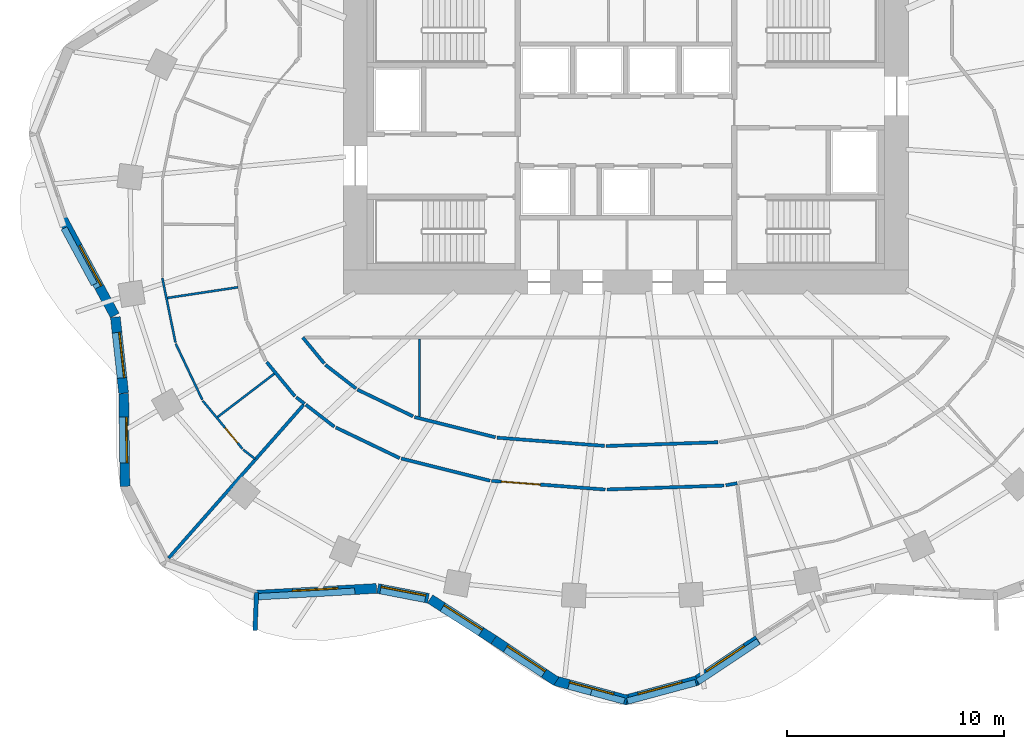
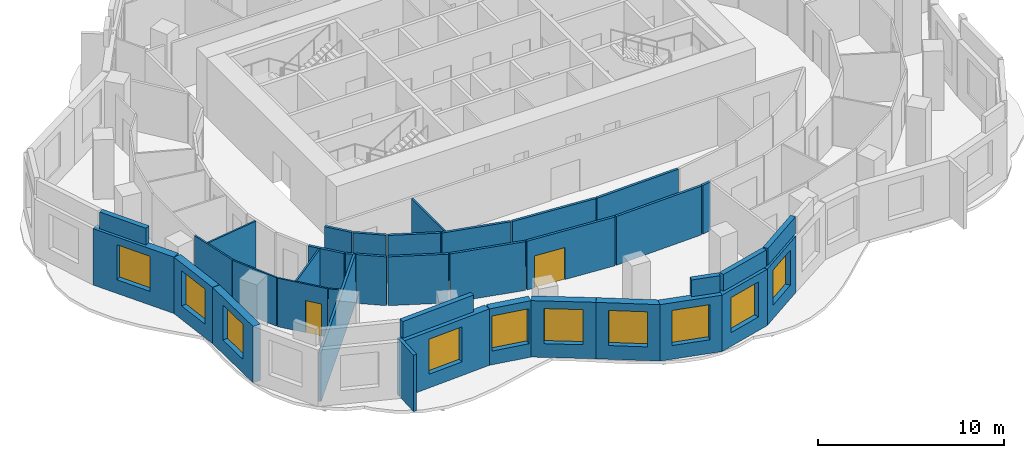
# One storey, part 3 of 10: 38 walls, 10 windows, 2 doors, 12 openings.
"""IFC4 building model written with IfcOpenShell, lengths in metres."""

import ifcopenshell
import ifcopenshell.guid

model = None  # the IFC model being written
_history = None  # IfcOwnerHistory: only IFC2X3 demands one
_inside = {}  # id of a spatial element -> (the spatial element, [elements in it])
_under = {}  # id of a project, library or spatial element -> (it, [spatial elements below it])
_declared = {}  # id of a project -> (the project, [libraries it declares])
_typed = {}  # id of a type object -> (the type object, [elements of that type])
_made_of = {}  # id of a material, layer set ... -> (it, [elements and type objects made of it])


def new_model(schema):
    """Start an empty IFC model of exactly this schema.

    Asked for "IFC4X3", IfcOpenShell would pick the latest addendum, in which some entities
    have other attributes; the version numbers below select the first issue.
    IFC2X3 requires an IfcOwnerHistory on every rooted entity: one is made here for all.
    """
    global model, _history
    if schema == "IFC4X3":
        model = ifcopenshell.file(schema_version=(4, 3, 0, 0))
    else:
        model = ifcopenshell.file(schema=schema)
    _inside.clear()
    _under.clear()
    _declared.clear()
    _typed.clear()
    _made_of.clear()
    _history = None
    if model.schema == "IFC2X3":
        org = make("IfcOrganization", Name="unknown")
        user = make(
            "IfcPersonAndOrganization",
            ThePerson=make("IfcPerson", FamilyName="unknown"),
            TheOrganization=org,
        )
        app = make(
            "IfcApplication",
            ApplicationDeveloper=org,
            Version="unknown",
            ApplicationFullName="unknown",
            ApplicationIdentifier="unknown",
        )
        _history = make(
            "IfcOwnerHistory",
            OwningUser=user,
            OwningApplication=app,
            ChangeAction="ADDED",
            CreationDate=0,
        )
    return model


def make(cls, **values):
    """One entity of the class cls with the attributes given. An attribute that is None is left unset."""
    return model.create_entity(
        cls, **{name: value for name, value in values.items() if value is not None}
    )


def rooted(cls, **values):
    """An entity with a GlobalId (a new one), such as an element, a storey or a relation."""
    return make(cls, GlobalId=ifcopenshell.guid.new(), OwnerHistory=_history, **values)


def si_unit(unit_type, name, prefix=None):
    """IfcSIUnit, for example si_unit("LENGTHUNIT", "METRE", prefix="MILLI")."""
    return make("IfcSIUnit", UnitType=unit_type, Prefix=prefix, Name=name)


def assignment(units):
    """IfcUnitAssignment: the units of a project."""
    return None if units is None else make("IfcUnitAssignment", Units=units)


def point(xyz):
    """IfcCartesianPoint."""
    return None if xyz is None else make("IfcCartesianPoint", Coordinates=xyz)


def direction(xyz):
    """IfcDirection."""
    return None if xyz is None else make("IfcDirection", DirectionRatios=xyz)


def frame(location, z_axis=None, x_axis=None):
    """IfcAxis2Placement3D, a coordinate frame: its origin and axes. An axis left out is left unset."""
    return make(
        "IfcAxis2Placement3D",
        Location=point(location),
        Axis=direction(z_axis),
        RefDirection=direction(x_axis),
    )


def frame_2d(location, x_axis=None):
    """IfcAxis2Placement2D, a coordinate frame in the plane: its origin and x axis."""
    return make(
        "IfcAxis2Placement2D", Location=point(location), RefDirection=direction(x_axis)
    )


def origin():
    """The frame at (0, 0, 0) with its axes left unset."""
    return frame((0.0, 0.0, 0.0))


def place(relative_to, where):
    """IfcLocalPlacement: puts the frame where relative to a parent placement (None: the world)."""
    return make(
        "IfcLocalPlacement", PlacementRelTo=relative_to, RelativePlacement=where
    )


def context(
    kind, dimensions, precision=None, world=None, true_north=None, identifier=None
):
    """IfcGeometricRepresentationContext, for example the 3D "Model" context."""
    return make(
        "IfcGeometricRepresentationContext",
        ContextIdentifier=identifier,
        ContextType=kind,
        CoordinateSpaceDimension=dimensions,
        Precision=precision,
        WorldCoordinateSystem=world,
        TrueNorth=true_north,
    )


def subcontext(parent, identifier, kind, view, scale=None):
    """IfcGeometricRepresentationSubContext, for example "Body" below "Model"."""
    return make(
        "IfcGeometricRepresentationSubContext",
        ContextIdentifier=identifier,
        ContextType=kind,
        ParentContext=parent,
        TargetScale=scale,
        TargetView=view,
    )


def project(units=None, contexts=None):
    """IfcProject with its units and contexts."""
    return rooted(
        "IfcProject",
        Name="project",
        RepresentationContexts=contexts,
        UnitsInContext=assignment(units),
    )


def spatial(cls, under=None, at=None, **own):
    """A site, building, storey or space (cls), placed at a placement, below another one or the project."""
    s = rooted(cls, ObjectPlacement=at, **own)
    if under is not None:
        _under.setdefault(under.id(), (under, []))[1].append(s)
    return s


def profile(cls, at=None, kind="AREA", **sizes):
    """A parametric profile (cls). Its sizes go by their IFC names, for example OverallWidth=200.0."""
    return make(cls, ProfileType=kind, Position=at, **sizes)


def rectangle(**sizes):
    """IfcRectangleProfileDef."""
    return profile("IfcRectangleProfileDef", **sizes)


def extrude(swept, where, along, depth):
    """IfcExtrudedAreaSolid: the profile swept, set in the frame where, extruded along a direction by depth."""
    return make(
        "IfcExtrudedAreaSolid",
        SweptArea=swept,
        Position=where,
        ExtrudedDirection=direction(along),
        Depth=depth,
    )


def shape(context_of_items, identifier, shape_type, items):
    """IfcShapeRepresentation: the items that make up one representation, for example the "Body"."""
    return make(
        "IfcShapeRepresentation",
        ContextOfItems=context_of_items,
        RepresentationIdentifier=identifier,
        RepresentationType=shape_type,
        Items=items,
    )


def material(Name=None, Category=None):
    """IfcMaterial."""
    return make("IfcMaterial", Name=Name, Category=Category)


def layer(
    of_material, thickness, ventilated=None, Name=None, Category=None, Priority=None
):
    """IfcMaterialLayer: one layer of a wall or slab, of a material (None: an air gap)."""
    return make(
        "IfcMaterialLayer",
        Material=of_material,
        LayerThickness=thickness,
        IsVentilated=ventilated,
        Name=Name,
        Category=Category,
        Priority=Priority,
    )


def layer_set(layers, Name=None):
    """IfcMaterialLayerSet."""
    return make("IfcMaterialLayerSet", MaterialLayers=layers, LayerSetName=Name)


def made_of(thing, what):
    """Note that an element or type object is made of a material, layer set ...; save() writes the relation."""
    if what is not None:
        _made_of.setdefault(what.id(), (what, []))[1].append(thing)
    return thing


def type_object(cls, material=None, **own):
    """A type object (cls), such as IfcWallType, which elements share."""
    return made_of(rooted(cls, **own), material)


def element(
    cls,
    number,
    at=None,
    inside=None,
    cuts=None,
    type_object=None,
    material=None,
    context=None,
    identifier="Body",
    shape_type=None,
    held_by="IfcProductDefinitionShape",
    body=None,
    shapes=None,
    **own,
):
    """One element of the class cls, such as IfcWall. Its Tag is "e" and its number.

    at: its placement. inside: the storey or other place that contains it. cuts: it is an
    opening in that element (IfcRelVoidsElement). A single representation is given by context,
    identifier, shape_type and body (its items); several are given by shapes. held_by: the class
    of the entity that holds the representations. save() writes the other relations.
    """
    e = rooted(cls, Tag="e%d" % number, ObjectPlacement=at, **own)
    if body is not None:
        shapes = [shape(context, identifier, shape_type, body)]
    if shapes is not None:
        e.Representation = make(held_by, Representations=shapes)
    if inside is not None:
        _inside.setdefault(inside.id(), (inside, []))[1].append(e)
    if cuts is not None:
        rooted(
            "IfcRelVoidsElement", RelatingBuildingElement=cuts, RelatedOpeningElement=e
        )
    if type_object is not None:
        _typed.setdefault(type_object.id(), (type_object, []))[1].append(e)
    return made_of(e, material)


def fill(opening, filler):
    """IfcRelFillsElement: the door or window that sits in an opening."""
    return rooted(
        "IfcRelFillsElement",
        RelatingOpeningElement=opening,
        RelatedBuildingElement=filler,
    )


def aggregate(whole, parts):
    """IfcRelAggregates: a whole, such as a stair, and the parts it consists of."""
    return rooted("IfcRelAggregates", RelatingObject=whole, RelatedObjects=parts)


def save(model, path):
    """Write the relations noted so far, then the file.

    IfcRelAggregates (storeys below a building ...), IfcRelContainedInSpatialStructure (elements
    in a storey), IfcRelDefinesByType, IfcRelAssociatesMaterial and IfcRelDeclares: one each for
    every whole, place, type object, material and project.
    """
    for whole, parts in _under.values():
        aggregate(whole, parts)
    for where, things in _inside.values():
        rooted(
            "IfcRelContainedInSpatialStructure",
            RelatedElements=things,
            RelatingStructure=where,
        )
    for kind, things in _typed.values():
        rooted("IfcRelDefinesByType", RelatedObjects=things, RelatingType=kind)
    for what, things in _made_of.values():
        rooted("IfcRelAssociatesMaterial", RelatedObjects=things, RelatingMaterial=what)
    for by, libraries in _declared.values():
        rooted("IfcRelDeclares", RelatingContext=by, RelatedDefinitions=libraries)
    model.write(path)


model = new_model("IFC4")

# Units and contexts
model_context = context("Model", 3, precision=1e-05, world=origin(), true_north=direction((0.0, 1.0)))
body_context = subcontext(model_context, "Body", "Model", "MODEL_VIEW")
ifc_project = project(units=[si_unit("LENGTHUNIT", "METRE"), si_unit("AREAUNIT", "SQUARE_METRE"), si_unit("VOLUMEUNIT", "CUBIC_METRE"), si_unit("PLANEANGLEUNIT", "RADIAN"), si_unit("MASSUNIT", "GRAM", prefix="KILO")], contexts=[model_context])

# Site, building, storey
site_placement = place(None, origin())
site = spatial("IfcSite", under=ifc_project, at=site_placement, CompositionType="ELEMENT")
building_placement = place(site_placement, origin())
building = spatial("IfcBuilding", under=site, at=building_placement, Name="Rubra Terraces Tower", CompositionType="ELEMENT")
storey_placement = place(building_placement, frame((0.0, 0.0, 157.800048828125)))
storey = spatial("IfcBuildingStorey", under=building, at=storey_placement, Name="L38", CompositionType="ELEMENT", Elevation=157.800048828125)

# Wall, opening, window
ifc_material_1 = material(Name="Brick masonry red-brown", Category="masonry")
ifc_layer_1 = layer(ifc_material_1, 0.449951171875)
ifc_layer_set_1 = layer_set([ifc_layer_1], Name="Brick masonry red-brown")
wall_type_1 = type_object("IfcWallType", Name="Brick facade wall 450", PredefinedType="SOLIDWALL", material=ifc_layer_set_1)
wall_1_placement = place(storey_placement, frame((-25.931884765625, 0.49365234375, 0.0), z_axis=(0.0, 0.0, 1.0), x_axis=(0.475489989979, -0.879721131626, 0.0)))
wall_1 = element("IfcWall", 1, at=wall_1_placement, inside=storey, type_object=wall_type_1, Name="Facade wall L38 bay 21", PredefinedType="SOLIDWALL", context=body_context, shape_type="SweptSolid", body=[
    extrude(rectangle(XDim=5.09814453125, YDim=0.449951171875, at=frame_2d((2.549072265625, 0.0))), origin(), (0.0, 0.0, 1.0), 3.699951171875),
])
opening_1_placement = place(wall_1_placement, frame((1.4990234375, 0.0, 0.89990234375)))
opening_1 = element("IfcOpeningElement", 2, at=opening_1_placement, cuts=wall_1, Name="Opening W1B", PredefinedType="OPENING", context=body_context, shape_type="SweptSolid", body=[
    extrude(rectangle(XDim=2.10009765625, YDim=2.300048828125, at=frame_2d((1.050048828125, 1.14990234375))), frame((0.0, 0.23486328125, 0.0), z_axis=(0.0, -1.0, 0.0), x_axis=(1.0, 0.0, 0.0)), (0.0, 0.0, 1.0), 0.469970703125),
])
ifc_material_2 = material(Name="Clear glass in aluminium frame", Category="aluminium")
window_type = type_object("IfcWindowType", Name="Fixed deep-set window tall storey 2100 x 2300", PartitioningType="SINGLE_PANEL", PredefinedType="WINDOW", material=ifc_material_2)
window_1_placement = place(opening_1_placement, origin())
window_1 = element("IfcWindow", 3, at=window_1_placement, inside=storey, type_object=window_type, Name="Window L38 bay 21", OverallHeight=2.300048828125, OverallWidth=2.10009765625, PartitioningType="SINGLE_PANEL", PredefinedType="WINDOW", context=body_context, shape_type="SweptSolid", body=[
    extrude(rectangle(XDim=2.10009765625, YDim=2.300048828125, at=frame_2d((1.050048828125, 1.14990234375))), frame((0.0, 0.135009765625, 0.0), z_axis=(0.0, -1.0, 0.0), x_axis=(1.0, 0.0, 0.0)), (0.0, 0.0, 1.0), 0.06005859375),
])
fill(opening_1, window_1)

wall_2_placement = place(storey_placement, frame((-23.48291015625, -4.0673828125, 0.0), z_axis=(0.0, 0.0, 1.0), x_axis=(0.109342535662, -0.994004129717, 0.0)))
wall_2 = element("IfcWall", 4, at=wall_2_placement, inside=storey, type_object=wall_type_1, Name="Facade wall L38 bay 22", PredefinedType="SOLIDWALL", context=body_context, shape_type="SweptSolid", body=[
    extrude(rectangle(XDim=3.518798828125, YDim=0.449951171875, at=frame_2d((1.75927734375, 0.0))), origin(), (0.0, 0.0, 1.0), 3.699951171875),
])
opening_2_placement = place(wall_2_placement, frame((0.70947265625, 0.0, 0.89990234375)))
opening_2 = element("IfcOpeningElement", 5, at=opening_2_placement, cuts=wall_2, Name="Opening W1B", PredefinedType="OPENING", context=body_context, shape_type="SweptSolid", body=[
    extrude(rectangle(XDim=2.10009765625, YDim=2.300048828125, at=frame_2d((1.050048828125, 1.14990234375))), frame((0.0, 0.23486328125, 0.0), z_axis=(0.0, -1.0, 0.0), x_axis=(1.0, 0.0, 0.0)), (0.0, 0.0, 1.0), 0.469970703125),
])
window_2_placement = place(opening_2_placement, origin())
window_2 = element("IfcWindow", 6, at=window_2_placement, inside=storey, type_object=window_type, Name="Window L38 bay 22", OverallHeight=2.300048828125, OverallWidth=2.10009765625, PartitioningType="SINGLE_PANEL", PredefinedType="WINDOW", context=body_context, shape_type="SweptSolid", body=[
    extrude(rectangle(XDim=2.10009765625, YDim=2.300048828125, at=frame_2d((1.050048828125, 1.14990234375))), frame((0.0, 0.135009765625, 0.0), z_axis=(0.0, -1.0, 0.0), x_axis=(1.0, 0.0, 0.0)), (0.0, 0.0, 1.0), 0.06005859375),
])
fill(opening_2, window_2)

wall_3_placement = place(storey_placement, frame((-23.09619140625, -7.587890625, 0.0), z_axis=(0.0, 0.0, 1.0), x_axis=(0.013129602116, -0.999913803059, 0.0)))
wall_3 = element("IfcWall", 7, at=wall_3_placement, inside=storey, type_object=wall_type_1, Name="Facade wall L38 bay 23", PredefinedType="SOLIDWALL", context=body_context, shape_type="SweptSolid", body=[
    extrude(rectangle(XDim=4.25830078125, YDim=0.449951171875, at=frame_2d((2.129150390625, 0.0))), origin(), (0.0, 0.0, 1.0), 3.699951171875),
])
opening_3_placement = place(wall_3_placement, frame((1.0791015625, 0.0, 0.89990234375)))
opening_3 = element("IfcOpeningElement", 8, at=opening_3_placement, cuts=wall_3, Name="Opening W1B", PredefinedType="OPENING", context=body_context, shape_type="SweptSolid", body=[
    extrude(rectangle(XDim=2.10009765625, YDim=2.300048828125, at=frame_2d((1.050048828125, 1.14990234375))), frame((0.0, 0.23486328125, 0.0), z_axis=(0.0, -1.0, 0.0), x_axis=(1.0, 0.0, 0.0)), (0.0, 0.0, 1.0), 0.469970703125),
])
window_3_placement = place(opening_3_placement, origin())
window_3 = element("IfcWindow", 9, at=window_3_placement, inside=storey, type_object=window_type, Name="Window L38 bay 23", OverallHeight=2.300048828125, OverallWidth=2.10009765625, PartitioningType="SINGLE_PANEL", PredefinedType="WINDOW", context=body_context, shape_type="SweptSolid", body=[
    extrude(rectangle(XDim=2.10009765625, YDim=2.300048828125, at=frame_2d((1.050048828125, 1.14990234375))), frame((0.0, 0.135009765625, 0.0), z_axis=(0.0, -1.0, 0.0), x_axis=(1.0, 0.0, 0.0)), (0.0, 0.0, 1.0), 0.06005859375),
])
fill(opening_3, window_3)

wall_4_placement = place(storey_placement, frame((-17.0966796875, -16.859375, 0.0), z_axis=(0.0, 0.0, 1.0), x_axis=(0.998420892714, 0.056175804331, 0.0)))
wall_4 = element("IfcWall", 10, at=wall_4_placement, inside=storey, type_object=wall_type_1, Name="Facade wall L38 bay 26", PredefinedType="SOLIDWALL", context=body_context, shape_type="SweptSolid", body=[
    extrude(rectangle(XDim=5.63232421875, YDim=0.449951171875, at=frame_2d((2.816162109375, 0.0))), origin(), (0.0, 0.0, 1.0), 3.699951171875),
])
opening_4_placement = place(wall_4_placement, frame((1.76611328125, 0.0, 0.89990234375)))
opening_4 = element("IfcOpeningElement", 11, at=opening_4_placement, cuts=wall_4, Name="Opening W1B", PredefinedType="OPENING", context=body_context, shape_type="SweptSolid", body=[
    extrude(rectangle(XDim=2.10009765625, YDim=2.300048828125, at=frame_2d((1.050048828125, 1.14990234375))), frame((0.0, 0.23486328125, 0.0), z_axis=(0.0, -1.0, 0.0), x_axis=(1.0, 0.0, 0.0)), (0.0, 0.0, 1.0), 0.469970703125),
])
window_4_placement = place(opening_4_placement, origin())
window_4 = element("IfcWindow", 12, at=window_4_placement, inside=storey, type_object=window_type, Name="Window L38 bay 26", OverallHeight=2.300048828125, OverallWidth=2.10009765625, PartitioningType="SINGLE_PANEL", PredefinedType="WINDOW", context=body_context, shape_type="SweptSolid", body=[
    extrude(rectangle(XDim=2.10009765625, YDim=2.300048828125, at=frame_2d((1.050048828125, 1.14990234375))), frame((0.0, 0.135009765625, 0.0), z_axis=(0.0, -1.0, 0.0), x_axis=(1.0, 0.0, 0.0)), (0.0, 0.0, 1.0), 0.06005859375),
])
fill(opening_4, window_4)

wall_5_placement = place(storey_placement, frame((-11.41796875, -16.546630859375, 0.0), z_axis=(0.0, 0.0, 1.0), x_axis=(0.981862580857, -0.189593966973, 0.0)))
wall_5 = element("IfcWall", 13, at=wall_5_placement, inside=storey, type_object=wall_type_1, Name="Facade wall L38 bay 27", PredefinedType="SOLIDWALL", context=body_context, shape_type="SweptSolid", body=[
    extrude(rectangle(XDim=2.377197265625, YDim=0.449951171875, at=frame_2d((1.1884765625, 0.0))), origin(), (0.0, 0.0, 1.0), 3.699951171875),
])
opening_5_placement = place(wall_5_placement, frame((0.138427734375, 0.0, 0.89990234375)))
opening_5 = element("IfcOpeningElement", 14, at=opening_5_placement, cuts=wall_5, Name="Opening W1B", PredefinedType="OPENING", context=body_context, shape_type="SweptSolid", body=[
    extrude(rectangle(XDim=2.10009765625, YDim=2.300048828125, at=frame_2d((1.050048828125, 1.14990234375))), frame((0.0, 0.23486328125, 0.0), z_axis=(0.0, -1.0, 0.0), x_axis=(1.0, 0.0, 0.0)), (0.0, 0.0, 1.0), 0.469970703125),
])
window_5_placement = place(opening_5_placement, origin())
window_5 = element("IfcWindow", 15, at=window_5_placement, inside=storey, type_object=window_type, Name="Window L38 bay 27", OverallHeight=2.300048828125, OverallWidth=2.10009765625, PartitioningType="SINGLE_PANEL", PredefinedType="WINDOW", context=body_context, shape_type="SweptSolid", body=[
    extrude(rectangle(XDim=2.10009765625, YDim=2.300048828125, at=frame_2d((1.050048828125, 1.14990234375))), frame((0.0, 0.135009765625, 0.0), z_axis=(0.0, -1.0, 0.0), x_axis=(1.0, 0.0, 0.0)), (0.0, 0.0, 1.0), 0.06005859375),
])
fill(opening_5, window_5)

wall_6_placement = place(storey_placement, frame((-9.00732421875, -17.027587890625, 0.0), z_axis=(0.0, 0.0, 1.0), x_axis=(0.841884040276, -0.539658468596, 0.0)))
wall_6 = element("IfcWall", 16, at=wall_6_placement, inside=storey, type_object=wall_type_1, Name="Facade wall L38 bay 28", PredefinedType="SOLIDWALL", context=body_context, shape_type="SweptSolid", body=[
    extrude(rectangle(XDim=3.481689453125, YDim=0.449951171875, at=frame_2d((1.74072265625, 0.0))), origin(), (0.0, 0.0, 1.0), 3.699951171875),
])
opening_6_placement = place(wall_6_placement, frame((0.69091796875, 0.0, 0.89990234375)))
opening_6 = element("IfcOpeningElement", 17, at=opening_6_placement, cuts=wall_6, Name="Opening W1B", PredefinedType="OPENING", context=body_context, shape_type="SweptSolid", body=[
    extrude(rectangle(XDim=2.10009765625, YDim=2.300048828125, at=frame_2d((1.050048828125, 1.14990234375))), frame((0.0, 0.23486328125, 0.0), z_axis=(0.0, -1.0, 0.0), x_axis=(1.0, 0.0, 0.0)), (0.0, 0.0, 1.0), 0.469970703125),
])
window_6_placement = place(opening_6_placement, origin())
window_6 = element("IfcWindow", 18, at=window_6_placement, inside=storey, type_object=window_type, Name="Window L38 bay 28", OverallHeight=2.300048828125, OverallWidth=2.10009765625, PartitioningType="SINGLE_PANEL", PredefinedType="WINDOW", context=body_context, shape_type="SweptSolid", body=[
    extrude(rectangle(XDim=2.10009765625, YDim=2.300048828125, at=frame_2d((1.050048828125, 1.14990234375))), frame((0.0, 0.135009765625, 0.0), z_axis=(0.0, -1.0, 0.0), x_axis=(1.0, 0.0, 0.0)), (0.0, 0.0, 1.0), 0.06005859375),
])
fill(opening_6, window_6)

wall_7_placement = place(storey_placement, frame((-6.072998046875, -18.908447265625, 0.0), z_axis=(0.0, 0.0, 1.0), x_axis=(0.832812804734, -0.553554723827, 0.0)))
wall_7 = element("IfcWall", 19, at=wall_7_placement, inside=storey, type_object=wall_type_1, Name="Facade wall L38 bay 29", PredefinedType="SOLIDWALL", context=body_context, shape_type="SweptSolid", body=[
    extrude(rectangle(XDim=3.444580078125, YDim=0.449951171875, at=frame_2d((1.72216796875, 0.0))), origin(), (0.0, 0.0, 1.0), 3.699951171875),
])
opening_7_placement = place(wall_7_placement, frame((0.67236328125, 0.0, 0.89990234375)))
opening_7 = element("IfcOpeningElement", 20, at=opening_7_placement, cuts=wall_7, Name="Opening W1B", PredefinedType="OPENING", context=body_context, shape_type="SweptSolid", body=[
    extrude(rectangle(XDim=2.10009765625, YDim=2.300048828125, at=frame_2d((1.050048828125, 1.14990234375))), frame((0.0, 0.23486328125, 0.0), z_axis=(0.0, -1.0, 0.0), x_axis=(1.0, 0.0, 0.0)), (0.0, 0.0, 1.0), 0.469970703125),
])
window_7_placement = place(opening_7_placement, origin())
window_7 = element("IfcWindow", 21, at=window_7_placement, inside=storey, type_object=window_type, Name="Window L38 bay 29", OverallHeight=2.300048828125, OverallWidth=2.10009765625, PartitioningType="SINGLE_PANEL", PredefinedType="WINDOW", context=body_context, shape_type="SweptSolid", body=[
    extrude(rectangle(XDim=2.10009765625, YDim=2.300048828125, at=frame_2d((1.050048828125, 1.14990234375))), frame((0.0, 0.135009765625, 0.0), z_axis=(0.0, -1.0, 0.0), x_axis=(1.0, 0.0, 0.0)), (0.0, 0.0, 1.0), 0.06005859375),
])
fill(opening_7, window_7)

wall_8_placement = place(storey_placement, frame((-3.2685546875, -20.78662109375, 0.0), z_axis=(0.0, 0.0, 1.0), x_axis=(0.965599337995, -0.260034456299, 0.0)))
wall_8 = element("IfcWall", 22, at=wall_8_placement, inside=storey, type_object=wall_type_1, Name="Facade wall L38 bay 30", PredefinedType="SOLIDWALL", context=body_context, shape_type="SweptSolid", body=[
    extrude(rectangle(XDim=3.44580078125, YDim=0.449951171875, at=frame_2d((1.722900390625, 0.0))), origin(), (0.0, 0.0, 1.0), 3.699951171875),
])
opening_8_placement = place(wall_8_placement, frame((0.6728515625, 0.0, 0.89990234375)))
opening_8 = element("IfcOpeningElement", 23, at=opening_8_placement, cuts=wall_8, Name="Opening W1B", PredefinedType="OPENING", context=body_context, shape_type="SweptSolid", body=[
    extrude(rectangle(XDim=2.10009765625, YDim=2.300048828125, at=frame_2d((1.050048828125, 1.14990234375))), frame((0.0, 0.23486328125, 0.0), z_axis=(0.0, -1.0, 0.0), x_axis=(1.0, 0.0, 0.0)), (0.0, 0.0, 1.0), 0.469970703125),
])
window_8_placement = place(opening_8_placement, origin())
window_8 = element("IfcWindow", 24, at=window_8_placement, inside=storey, type_object=window_type, Name="Window L38 bay 30", OverallHeight=2.300048828125, OverallWidth=2.10009765625, PartitioningType="SINGLE_PANEL", PredefinedType="WINDOW", context=body_context, shape_type="SweptSolid", body=[
    extrude(rectangle(XDim=2.10009765625, YDim=2.300048828125, at=frame_2d((1.050048828125, 1.14990234375))), frame((0.0, 0.135009765625, 0.0), z_axis=(0.0, -1.0, 0.0), x_axis=(1.0, 0.0, 0.0)), (0.0, 0.0, 1.0), 0.06005859375),
])
fill(opening_8, window_8)

wall_9_placement = place(storey_placement, frame((-0.05859375, -21.6826171875, 0.0), z_axis=(0.0, 0.0, 1.0), x_axis=(0.965599337995, 0.260034456299, 0.0)))
wall_9 = element("IfcWall", 25, at=wall_9_placement, inside=storey, type_object=wall_type_1, Name="Facade wall L38 bay 31", PredefinedType="SOLIDWALL", context=body_context, shape_type="SweptSolid", body=[
    extrude(rectangle(XDim=3.44580078125, YDim=0.449951171875, at=frame_2d((1.722900390625, 0.0))), origin(), (0.0, 0.0, 1.0), 3.699951171875),
])
opening_9_placement = place(wall_9_placement, frame((0.6728515625, 0.0, 0.89990234375)))
opening_9 = element("IfcOpeningElement", 26, at=opening_9_placement, cuts=wall_9, Name="Opening W1B", PredefinedType="OPENING", context=body_context, shape_type="SweptSolid", body=[
    extrude(rectangle(XDim=2.10009765625, YDim=2.300048828125, at=frame_2d((1.050048828125, 1.14990234375))), frame((0.0, 0.23486328125, 0.0), z_axis=(0.0, -1.0, 0.0), x_axis=(1.0, 0.0, 0.0)), (0.0, 0.0, 1.0), 0.469970703125),
])
window_9_placement = place(opening_9_placement, origin())
window_9 = element("IfcWindow", 27, at=window_9_placement, inside=storey, type_object=window_type, Name="Window L38 bay 31", OverallHeight=2.300048828125, OverallWidth=2.10009765625, PartitioningType="SINGLE_PANEL", PredefinedType="WINDOW", context=body_context, shape_type="SweptSolid", body=[
    extrude(rectangle(XDim=2.10009765625, YDim=2.300048828125, at=frame_2d((1.050048828125, 1.14990234375))), frame((0.0, 0.135009765625, 0.0), z_axis=(0.0, -1.0, 0.0), x_axis=(1.0, 0.0, 0.0)), (0.0, 0.0, 1.0), 0.06005859375),
])
fill(opening_9, window_9)

wall_10_placement = place(storey_placement, frame((3.204345703125, -20.815185546875, 0.0), z_axis=(0.0, 0.0, 1.0), x_axis=(0.832867193319, 0.553472888489, 0.0)))
wall_10 = element("IfcWall", 28, at=wall_10_placement, inside=storey, type_object=wall_type_1, Name="Facade wall L38 bay 32", PredefinedType="SOLIDWALL", context=body_context, shape_type="SweptSolid", body=[
    extrude(rectangle(XDim=3.444580078125, YDim=0.449951171875, at=frame_2d((1.72216796875, 0.0))), origin(), (0.0, 0.0, 1.0), 3.699951171875),
])
opening_10_placement = place(wall_10_placement, frame((0.67236328125, 0.0, 0.89990234375)))
opening_10 = element("IfcOpeningElement", 29, at=opening_10_placement, cuts=wall_10, Name="Opening W1B", PredefinedType="OPENING", context=body_context, shape_type="SweptSolid", body=[
    extrude(rectangle(XDim=2.10009765625, YDim=2.300048828125, at=frame_2d((1.050048828125, 1.14990234375))), frame((0.0, 0.23486328125, 0.0), z_axis=(0.0, -1.0, 0.0), x_axis=(1.0, 0.0, 0.0)), (0.0, 0.0, 1.0), 0.469970703125),
])
window_10_placement = place(opening_10_placement, origin())
window_10 = element("IfcWindow", 30, at=window_10_placement, inside=storey, type_object=window_type, Name="Window L38 bay 32", OverallHeight=2.300048828125, OverallWidth=2.10009765625, PartitioningType="SINGLE_PANEL", PredefinedType="WINDOW", context=body_context, shape_type="SweptSolid", body=[
    extrude(rectangle(XDim=2.10009765625, YDim=2.300048828125, at=frame_2d((1.050048828125, 1.14990234375))), frame((0.0, 0.135009765625, 0.0), z_axis=(0.0, -1.0, 0.0), x_axis=(1.0, 0.0, 0.0)), (0.0, 0.0, 1.0), 0.06005859375),
])
fill(opening_10, window_10)

# Walls
ifc_layer_2 = layer(ifc_material_1, 0.300048828125)
ifc_layer_set_2 = layer_set([ifc_layer_2], Name="Brick masonry red-brown")
wall_type_2 = type_object("IfcWallType", Name="Brick parapet 300", PredefinedType="PARAPET", material=ifc_layer_set_2)
wall_11_placement = place(storey_placement, frame((-25.841552734375, 0.022216796875, 3.89990234375), z_axis=(0.0, 0.0, 1.0), x_axis=(0.475470000897, -0.879731935448, 0.0)))
element("IfcWall", 31, at=wall_11_placement, inside=storey, type_object=wall_type_2, Name="Parapet L38 bay 21", PredefinedType="PARAPET", context=body_context, shape_type="SweptSolid", body=[
    extrude(rectangle(XDim=2.931396484375, YDim=0.300048828125, at=frame_2d((1.4658203125, 0.0))), origin(), (0.0, 0.0, 1.0), 1.10009765625),
])
wall_12_placement = place(storey_placement, frame((-17.00048828125, -16.92919921875, 3.89990234375), z_axis=(0.0, 0.0, 1.0), x_axis=(0.998421373715, 0.056167254777, 0.0)))
element("IfcWall", 32, at=wall_12_placement, inside=storey, type_object=wall_type_2, Name="Parapet L38 bay 26", PredefinedType="PARAPET", context=body_context, shape_type="SweptSolid", body=[
    extrude(rectangle(XDim=4.537841796875, YDim=0.300048828125, at=frame_2d((2.26904296875, 0.0))), origin(), (0.0, 0.0, 1.0), 1.10009765625),
])
wall_13_placement = place(storey_placement, frame((-1.593017578125, -21.315673828125, 3.89990234375), z_axis=(0.0, 0.0, 1.0), x_axis=(0.965600830508, -0.260028914011, 0.0)))
element("IfcWall", 33, at=wall_13_placement, inside=storey, type_object=wall_type_2, Name="Parapet L38 bay 30", PredefinedType="PARAPET", context=body_context, shape_type="SweptSolid", body=[
    extrude(rectangle(XDim=1.579345703125, YDim=0.300048828125, at=frame_2d((0.78955078125, 0.0))), origin(), (0.0, 0.0, 1.0), 1.10009765625),
])
wall_14_placement = place(storey_placement, frame((0.068115234375, -21.726318359375, 3.89990234375), z_axis=(0.0, 0.0, 1.0), x_axis=(0.965594759291, 0.260051458043, 0.0)))
element("IfcWall", 34, at=wall_14_placement, inside=storey, type_object=wall_type_2, Name="Parapet L38 bay 31", PredefinedType="PARAPET", context=body_context, shape_type="SweptSolid", body=[
    extrude(rectangle(XDim=3.255859375, YDim=0.300048828125, at=frame_2d((1.6279296875, 0.0))), origin(), (0.0, 0.0, 1.0), 1.10009765625),
])
wall_15_placement = place(storey_placement, frame((3.309814453125, -20.83544921875, 3.89990234375), z_axis=(0.0, 0.0, 1.0), x_axis=(0.832814698778, 0.553551874262, 0.0)))
element("IfcWall", 35, at=wall_15_placement, inside=storey, type_object=wall_type_2, Name="Parapet L38 bay 32", PredefinedType="PARAPET", context=body_context, shape_type="SweptSolid", body=[
    extrude(rectangle(XDim=3.337890625, YDim=0.300048828125, at=frame_2d((1.6689453125, 0.0))), origin(), (0.0, 0.0, 1.0), 1.10009765625),
])
ifc_layer_3 = layer(ifc_material_1, 0.199951171875)
ifc_layer_set_3 = layer_set([ifc_layer_3], Name="Brick masonry red-brown")
wall_type_3 = type_object("IfcWallType", Name="Brick wind fin 200", PredefinedType="SOLIDWALL", material=ifc_layer_set_3)
wall_16_placement = place(storey_placement, frame((-16.989990234375, -16.737060546875, 0.0), z_axis=(0.0, 0.0, 1.0), x_axis=(-0.038084872359, -0.999274508079, 0.0)))
element("IfcWall", 36, at=wall_16_placement, inside=storey, type_object=wall_type_3, Name="Wind fin L38 13", PredefinedType="SOLIDWALL", context=body_context, shape_type="SweptSolid", body=[
    extrude(rectangle(XDim=1.75, YDim=0.199951171875, at=frame_2d((0.875, 0.0))), origin(), (0.0, 0.0, 1.0), 3.699951171875),
])
ifc_material_3 = material(Name="Plasterboard on steel stud, mineral wool infill", Category="steel")
ifc_layer_4 = layer(ifc_material_3, 0.14990234375)
ifc_layer_set_4 = layer_set([ifc_layer_4], Name="Plasterboard on steel stud, mineral wool infill")
wall_type_4 = type_object("IfcWallType", Name="CORRIDOR PARTITION 150", PredefinedType="PARTITIONING", material=ifc_layer_set_4)
wall_17_placement = place(storey_placement, frame((-16.523193359375, -6.131591796875, 0.0), z_axis=(0.0, 0.0, 1.0), x_axis=(0.636763898907, -0.771058841496, 0.0)))
element("IfcWall", 37, at=wall_17_placement, inside=storey, type_object=wall_type_4, Name="PARTITION", PredefinedType="PARTITIONING", context=body_context, shape_type="SweptSolid", body=[
    extrude(rectangle(XDim=2.039794921875, YDim=0.14990234375, at=frame_2d((1.02001953125, 0.0))), origin(), (0.0, 0.0, 1.0), 3.197998046875),
])
wall_18_placement = place(storey_placement, frame((-15.1650390625, -7.750244140625, 0.0), z_axis=(0.0, 0.0, 1.0), x_axis=(0.791020679675, -0.611789411748, 0.0)))
element("IfcWall", 38, at=wall_18_placement, inside=storey, type_object=wall_type_4, Name="PARTITION", PredefinedType="PARTITIONING", context=body_context, shape_type="SweptSolid", body=[
    extrude(rectangle(XDim=0.487548828125, YDim=0.14990234375, at=frame_2d((0.24365234375, 0.0))), origin(), (0.0, 0.0, 1.0), 3.197998046875),
])
wall_19_placement = place(storey_placement, frame((-14.719970703125, -8.094482421875, 0.0), z_axis=(0.0, 0.0, 1.0), x_axis=(0.790886808694, -0.611962462765, 0.0)))
element("IfcWall", 39, at=wall_19_placement, inside=storey, type_object=wall_type_4, Name="PARTITION", PredefinedType="PARTITIONING", context=body_context, shape_type="SweptSolid", body=[
    extrude(rectangle(XDim=1.6591796875, YDim=0.14990234375, at=frame_2d((0.82958984375, 0.0))), origin(), (0.0, 0.0, 1.0), 3.197998046875),
])
wall_20_placement = place(storey_placement, frame((-13.340087890625, -9.142333984375, 0.0), z_axis=(0.0, 0.0, 1.0), x_axis=(0.901599124721, -0.432572558425, 0.0)))
element("IfcWall", 40, at=wall_20_placement, inside=storey, type_object=wall_type_4, Name="PARTITION", PredefinedType="PARTITIONING", context=body_context, shape_type="SweptSolid", body=[
    extrude(rectangle(XDim=3.2548828125, YDim=0.14990234375, at=frame_2d((1.62744140625, 0.0))), origin(), (0.0, 0.0, 1.0), 3.197998046875),
])
wall_21_placement = place(storey_placement, frame((-10.332763671875, -10.568603515625, 0.0), z_axis=(0.0, 0.0, 1.0), x_axis=(0.970067398009, -0.242835836151, 0.0)))
element("IfcWall", 41, at=wall_21_placement, inside=storey, type_object=wall_type_4, Name="PARTITION", PredefinedType="PARTITIONING", context=body_context, shape_type="SweptSolid", body=[
    extrude(rectangle(XDim=4.20947265625, YDim=0.14990234375, at=frame_2d((2.104736328125, 0.0))), origin(), (0.0, 0.0, 1.0), 3.197998046875),
])

# Wall, opening, door
wall_22_placement = place(storey_placement, frame((-6.174560546875, -11.596435546875, 0.0), z_axis=(0.0, 0.0, 1.0), x_axis=(0.997097090763, -0.07614060409, 0.0)))
wall_22 = element("IfcWall", 42, at=wall_22_placement, inside=storey, type_object=wall_type_4, Name="PARTITION", PredefinedType="PARTITIONING", context=body_context, shape_type="SweptSolid", body=[
    extrude(rectangle(XDim=5.2392578125, YDim=0.14990234375, at=frame_2d((2.61962890625, 0.0))), origin(), (0.0, 0.0, 1.0), 3.197998046875),
])
opening_11_placement = place(wall_22_placement, frame((0.449951171875, 0.0, 0.0)))
opening_11 = element("IfcOpeningElement", 43, at=opening_11_placement, cuts=wall_22, Name="Opening 38-112", PredefinedType="OPENING", context=body_context, shape_type="SweptSolid", body=[
    extrude(rectangle(XDim=1.800048828125, YDim=2.10009765625, at=frame_2d((0.89990234375, 1.050048828125))), frame((0.0, 0.0849609375, 0.0), z_axis=(0.0, -1.0, 0.0), x_axis=(1.0, 0.0, 0.0)), (0.0, 0.0, 1.0), 0.169921875),
])
ifc_material_4 = material(Name="Painted timber door leaf, double", Category="wood")
door_type_1 = type_object("IfcDoorType", Name="ROOM DOUBLE DOOR 1800 X 2100", OperationType="DOUBLE_DOOR_SINGLE_SWING", PredefinedType="DOOR", material=ifc_material_4)
door_1_placement = place(opening_11_placement, origin())
door_1 = element("IfcDoor", 44, at=door_1_placement, inside=storey, type_object=door_type_1, Name="DOOR 38-112", OperationType="DOUBLE_DOOR_SINGLE_SWING", OverallHeight=2.10009765625, OverallWidth=1.800048828125, PredefinedType="DOOR", context=body_context, shape_type="SweptSolid", body=[
    extrude(rectangle(XDim=1.800048828125, YDim=2.10009765625, at=frame_2d((0.89990234375, 1.050048828125))), frame((0.0, 0.02490234375, 0.0), z_axis=(0.0, -1.0, 0.0), x_axis=(1.0, 0.0, 0.0)), (0.0, 0.0, 1.0), 0.050048828125),
])
fill(opening_11, door_1)

# Walls
wall_23_placement = place(storey_placement, frame((-0.87548828125, -11.992919921875, 0.0), z_axis=(0.0, 0.0, 1.0), x_axis=(0.999436745295, 0.033558786542, 0.0)))
element("IfcWall", 45, at=wall_23_placement, inside=storey, type_object=wall_type_4, Name="PARTITION", PredefinedType="PARTITIONING", context=body_context, shape_type="SweptSolid", body=[
    extrude(rectangle(XDim=5.39794921875, YDim=0.14990234375, at=frame_2d((2.698974609375, 0.0))), origin(), (0.0, 0.0, 1.0), 3.197998046875),
])
wall_24_placement = place(storey_placement, frame((4.593505859375, -11.798583984375, 0.0), z_axis=(0.0, 0.0, 1.0), x_axis=(0.984663784655, 0.174462692828, 0.0)))
element("IfcWall", 46, at=wall_24_placement, inside=storey, type_object=wall_type_4, Name="PARTITION", PredefinedType="PARTITIONING", context=body_context, shape_type="SweptSolid", body=[
    extrude(rectangle(XDim=0.53466796875, YDim=0.14990234375, at=frame_2d((0.267333984375, 0.0))), origin(), (0.0, 0.0, 1.0), 3.197998046875),
])
wall_25_placement = place(storey_placement, frame((4.235595703125, -9.820068359375, 0.0), z_axis=(0.0, 0.0, 1.0), x_axis=(-0.999435760561, -0.033588100749, 0.0)))
element("IfcWall", 47, at=wall_25_placement, inside=storey, type_object=wall_type_4, Name="PARTITION", PredefinedType="PARTITIONING", context=body_context, shape_type="SweptSolid", body=[
    extrude(rectangle(XDim=5.146240234375, YDim=0.14990234375, at=frame_2d((2.5732421875, 0.0))), origin(), (0.0, 0.0, 1.0), 3.197998046875),
])
wall_26_placement = place(storey_placement, frame((-0.982421875, -9.987060546875, 0.0), z_axis=(0.0, 0.0, 1.0), x_axis=(-0.997096607341, 0.07614693447, 0.0)))
element("IfcWall", 48, at=wall_26_placement, inside=storey, type_object=wall_type_4, Name="PARTITION", PredefinedType="PARTITIONING", context=body_context, shape_type="SweptSolid", body=[
    extrude(rectangle(XDim=4.9599609375, YDim=0.14990234375, at=frame_2d((2.47998046875, 0.0))), origin(), (0.0, 0.0, 1.0), 3.197998046875),
])
wall_27_placement = place(storey_placement, frame((-6.000732421875, -9.59130859375, 0.0), z_axis=(0.0, 0.0, 1.0), x_axis=(-0.970063855769, 0.242849986061, 0.0)))
element("IfcWall", 49, at=wall_27_placement, inside=storey, type_object=wall_type_4, Name="PARTITION", PredefinedType="PARTITIONING", context=body_context, shape_type="SweptSolid", body=[
    extrude(rectangle(XDim=3.83740234375, YDim=0.14990234375, at=frame_2d((1.918701171875, 0.0))), origin(), (0.0, 0.0, 1.0), 3.197998046875),
])
wall_28_placement = place(storey_placement, frame((-9.790771484375, -8.626953125, 0.0), z_axis=(0.0, 0.0, 1.0), x_axis=(-0.901598165215, 0.432574558292, 0.0)))
element("IfcWall", 50, at=wall_28_placement, inside=storey, type_object=wall_type_4, Name="PARTITION", PredefinedType="PARTITIONING", context=body_context, shape_type="SweptSolid", body=[
    extrude(rectangle(XDim=2.840087890625, YDim=0.14990234375, at=frame_2d((1.419921875, 0.0))), origin(), (0.0, 0.0, 1.0), 3.197998046875),
])
wall_29_placement = place(storey_placement, frame((-12.41064453125, -7.3525390625, 0.0), z_axis=(0.0, 0.0, 1.0), x_axis=(-0.790894311556, 0.611952766109, 0.0)))
element("IfcWall", 51, at=wall_29_placement, inside=storey, type_object=wall_type_4, Name="PARTITION", PredefinedType="PARTITIONING", context=body_context, shape_type="SweptSolid", body=[
    extrude(rectangle(XDim=1.787353515625, YDim=0.14990234375, at=frame_2d((0.8935546875, 0.0))), origin(), (0.0, 0.0, 1.0), 3.197998046875),
])
wall_30_placement = place(storey_placement, frame((-13.8720703125, -6.200927734375, 0.0), z_axis=(0.0, 0.0, 1.0), x_axis=(-0.636832838855, 0.771001903601, 0.0)))
element("IfcWall", 52, at=wall_30_placement, inside=storey, type_object=wall_type_4, Name="PARTITION", PredefinedType="PARTITIONING", context=body_context, shape_type="SweptSolid", body=[
    extrude(rectangle(XDim=1.5576171875, YDim=0.14990234375, at=frame_2d((0.77880859375, 0.0))), origin(), (0.0, 0.0, 1.0), 3.197998046875),
])
ifc_material_5 = material(Name="Plasterboard on steel stud", Category="steel")
ifc_layer_5 = layer(ifc_material_5, 0.10009765625)
ifc_layer_set_5 = layer_set([ifc_layer_5], Name="Plasterboard on steel stud")
wall_type_5 = type_object("IfcWallType", Name="ROOM PARTITION 100", PredefinedType="PARTITIONING", material=ifc_layer_set_5)
wall_31_placement = place(storey_placement, frame((-17.046875, -10.593017578125, 0.0), z_axis=(0.0, 0.0, 1.0), x_axis=(-0.790934546054, 0.611900763081, 0.0)))
element("IfcWall", 53, at=wall_31_placement, inside=storey, type_object=wall_type_5, Name="PARTITION", PredefinedType="PARTITIONING", context=body_context, shape_type="SweptSolid", body=[
    extrude(rectangle(XDim=0.705078125, YDim=0.10009765625, at=frame_2d((0.3525390625, 0.0))), origin(), (0.0, 0.0, 1.0), 3.183837890625),
])

# Wall, opening, door
wall_32_placement = place(storey_placement, frame((-17.63623046875, -10.123046875, 0.0), z_axis=(0.0, 0.0, 1.0), x_axis=(-0.63687924693, 0.770963569068, 0.0)))
wall_32 = element("IfcWall", 54, at=wall_32_placement, inside=storey, type_object=wall_type_5, Name="PARTITION", PredefinedType="PARTITIONING", context=body_context, shape_type="SweptSolid", body=[
    extrude(rectangle(XDim=2.86767578125, YDim=0.10009765625, at=frame_2d((1.433837890625, 0.0))), origin(), (0.0, 0.0, 1.0), 3.183837890625),
])
opening_12_placement = place(wall_32_placement, frame((0.35009765625, 0.0, 0.0)))
opening_12 = element("IfcOpeningElement", 55, at=opening_12_placement, cuts=wall_32, Name="Opening 38-111", PredefinedType="OPENING", context=body_context, shape_type="SweptSolid", body=[
    extrude(rectangle(XDim=0.89990234375, YDim=2.10009765625, at=frame_2d((0.449951171875, 1.050048828125))), frame((0.0, 0.06005859375, 0.0), z_axis=(0.0, -1.0, 0.0), x_axis=(1.0, 0.0, 0.0)), (0.0, 0.0, 1.0), 0.1201171875),
])
ifc_material_6 = material(Name="Painted timber door leaf", Category="wood")
door_type_2 = type_object("IfcDoorType", Name="ROOM DOOR 900 X 2100", OperationType="SINGLE_SWING_LEFT", PredefinedType="DOOR", material=ifc_material_6)
door_2_placement = place(opening_12_placement, origin())
door_2 = element("IfcDoor", 56, at=door_2_placement, inside=storey, type_object=door_type_2, Name="DOOR 38-111", OperationType="SINGLE_SWING_RIGHT", OverallHeight=2.10009765625, OverallWidth=0.89990234375, PredefinedType="DOOR", context=body_context, shape_type="SweptSolid", body=[
    extrude(rectangle(XDim=0.89990234375, YDim=2.10009765625, at=frame_2d((0.449951171875, 1.050048828125))), frame((0.0, 0.02490234375, 0.0), z_axis=(0.0, -1.0, 0.0), x_axis=(1.0, 0.0, 0.0)), (0.0, 0.0, 1.0), 0.050048828125),
])
fill(opening_12, door_2)

# Walls
wall_33_placement = place(storey_placement, frame((-19.48388671875, -7.866943359375, 0.0), z_axis=(0.0, 0.0, 1.0), x_axis=(-0.427943138949, 0.903805659324, 0.0)))
element("IfcWall", 57, at=wall_33_placement, inside=storey, type_object=wall_type_5, Name="PARTITION", PredefinedType="PARTITIONING", context=body_context, shape_type="SweptSolid", body=[
    extrude(rectangle(XDim=2.858154296875, YDim=0.10009765625, at=frame_2d((1.42919921875, 0.0))), origin(), (0.0, 0.0, 1.0), 3.183837890625),
])
wall_34_placement = place(storey_placement, frame((-20.717041015625, -5.234619140625, 0.0), z_axis=(0.0, 0.0, 1.0), x_axis=(-0.199405031181, 0.979917156468, 0.0)))
element("IfcWall", 58, at=wall_34_placement, inside=storey, type_object=wall_type_5, Name="PARTITION", PredefinedType="PARTITIONING", context=body_context, shape_type="SweptSolid", body=[
    extrude(rectangle(XDim=3.025390625, YDim=0.10009765625, at=frame_2d((1.5126953125, 0.0))), origin(), (0.0, 0.0, 1.0), 3.183837890625),
])
wall_35_placement = place(storey_placement, frame((-17.84130859375, -2.691650390625, 0.0), z_axis=(0.0, 0.0, 1.0), x_axis=(-0.988764234626, -0.149483404843, 0.0)))
element("IfcWall", 59, at=wall_35_placement, inside=storey, type_object=wall_type_5, Name="PARTITION", PredefinedType="PARTITIONING", context=body_context, shape_type="SweptSolid", body=[
    extrude(rectangle(XDim=3.279541015625, YDim=0.10009765625, at=frame_2d((1.6396484375, 0.0))), origin(), (0.0, 0.0, 1.0), 3.183837890625),
])
wall_36_placement = place(storey_placement, frame((-16.17431640625, -6.672119140625, 0.0), z_axis=(0.0, 0.0, 1.0), x_axis=(-0.794966372168, -0.606653498401, 0.0)))
element("IfcWall", 60, at=wall_36_placement, inside=storey, type_object=wall_type_5, Name="PARTITION", PredefinedType="PARTITIONING", context=body_context, shape_type="SweptSolid", body=[
    extrude(rectangle(XDim=3.27734375, YDim=0.10009765625, at=frame_2d((1.638671875, 0.0))), origin(), (0.0, 0.0, 1.0), 3.183837890625),
])
wall_37_placement = place(storey_placement, frame((-9.5, -8.64013671875, 0.0), z_axis=(0.0, 0.0, 1.0), x_axis=(0.0, 1.0, 0.0)))
element("IfcWall", 61, at=wall_37_placement, inside=storey, type_object=wall_type_5, Name="PARTITION", PredefinedType="PARTITIONING", context=body_context, shape_type="SweptSolid", body=[
    extrude(rectangle(XDim=3.565185546875, YDim=0.10009765625, at=frame_2d((1.78271484375, 0.0))), origin(), (0.0, 0.0, 1.0), 3.183837890625),
])
ifc_layer_6 = layer(ifc_material_5, 0.14990234375)
ifc_layer_set_6 = layer_set([ifc_layer_6], Name="Plasterboard on steel stud")
wall_type_6 = type_object("IfcWallType", Name="ROOM PARTITION 150", PredefinedType="PARTITIONING", material=ifc_layer_set_6)
wall_38_placement = place(storey_placement, frame((-21.03271484375, -15.1484375, 0.0), z_axis=(0.0, 0.0, 1.0), x_axis=(0.660964985905, 0.750416742488, 0.0)))
element("IfcWall", 62, at=wall_38_placement, inside=storey, type_object=wall_type_6, Name="PARTITION", PredefinedType="PARTITIONING", context=body_context, shape_type="SweptSolid", body=[
    extrude(rectangle(XDim=9.385986328125, YDim=0.14990234375, at=frame_2d((4.69287109375, 0.0))), origin(), (0.0, 0.0, 1.0), 3.23388671875),
])

save(model, "model.ifc")
